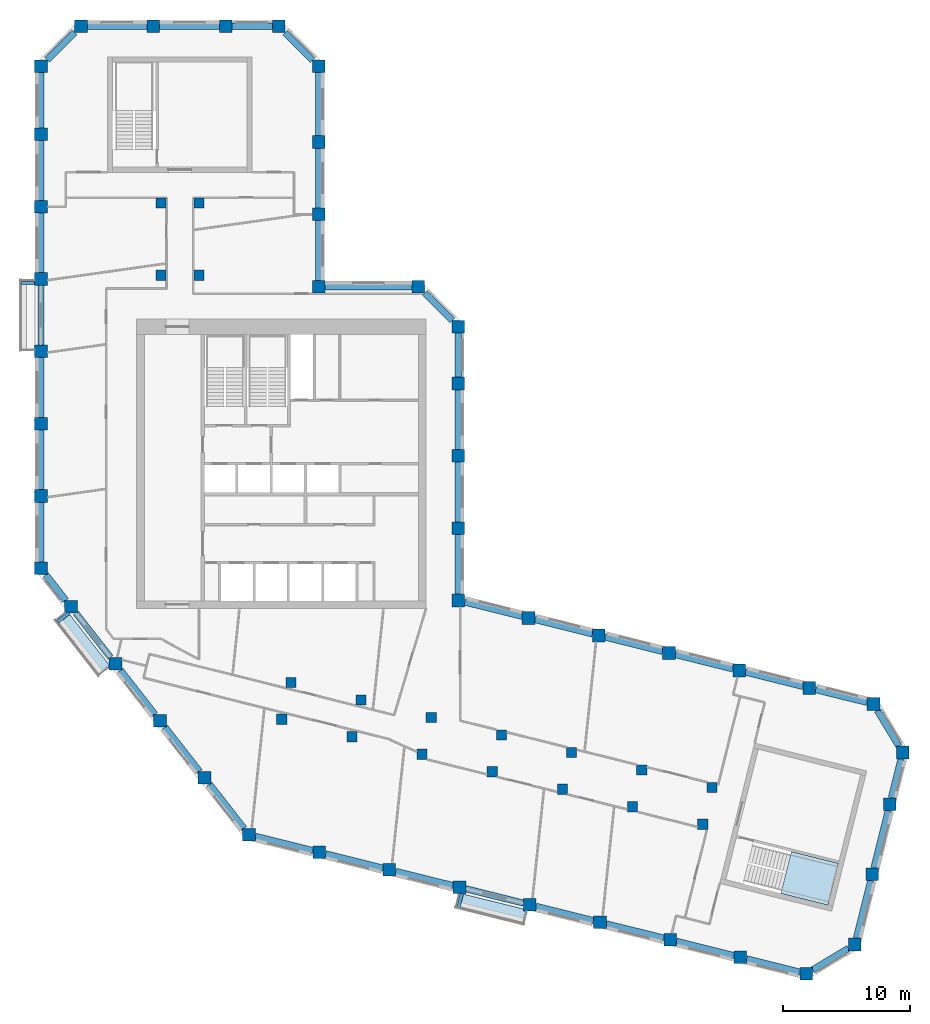
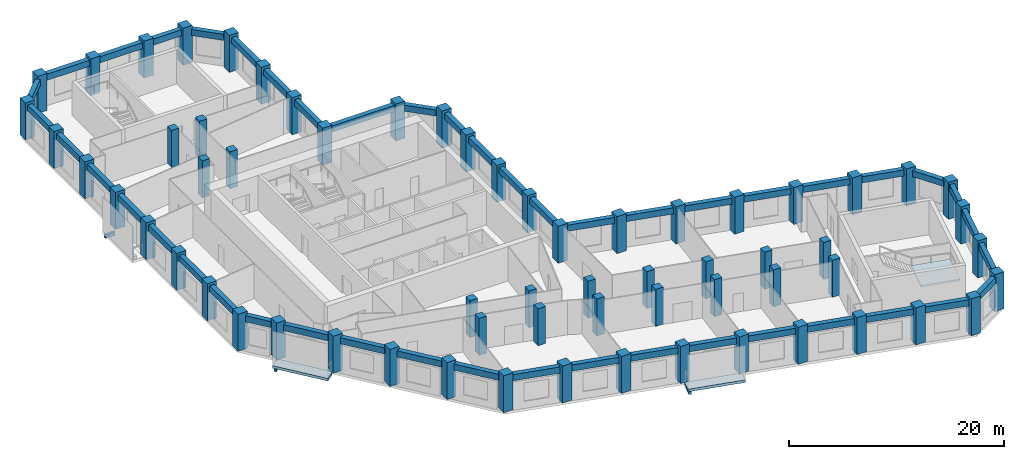
# One storey, part 1 of 9: 63 columns, 48 beams, 3 slabs, 1 element without a shape of its own.
"""IFC4 building model written with IfcOpenShell, lengths in metres."""

from ifc_helpers import new_model, si_unit, direction, frame, origin, origin_2d, place, context, subcontext, project, spatial, polyline, rectangle, outline, extrude, material, layer, layer_set, material_profile, profile_set, type_object, element, aggregate, save


model = new_model("IFC4")

# Units and contexts
model_context = context("Model", 3, precision=1e-05, world=origin(), true_north=direction((0.0, 1.0)))
body_context = subcontext(model_context, "Body", "Model", "MODEL_VIEW")
ifc_project = project(units=[si_unit("LENGTHUNIT", "METRE"), si_unit("AREAUNIT", "SQUARE_METRE"), si_unit("VOLUMEUNIT", "CUBIC_METRE"), si_unit("PLANEANGLEUNIT", "RADIAN"), si_unit("MASSUNIT", "GRAM", prefix="KILO")], contexts=[model_context])

# Site, building, storey
site_placement = place(None, origin())
site = spatial("IfcSite", under=ifc_project, at=site_placement, CompositionType="ELEMENT")
building_placement = place(site_placement, origin())
building = spatial("IfcBuilding", under=site, at=building_placement, Name="Meshkara Civic Tower", CompositionType="ELEMENT")
storey_placement = place(building_placement, frame((0.0, 0.0, 319.199951171875)))
storey = spatial("IfcBuildingStorey", under=building, at=storey_placement, Name="L73", CompositionType="ELEMENT", Elevation=319.199951171875)

# Columns
ifc_material_1 = material(Name="Concrete C60", Category="concrete")
ifc_material_profile_1 = material_profile(ifc_material_1, rectangle(XDim=0.800048828125, YDim=0.800048828125, at=origin_2d()))
ifc_profile_set_1 = profile_set([ifc_material_profile_1], Name="Concrete C60")
column_type_1 = type_object("IfcColumnType", Name="Interior column RC 800x800 C60", PredefinedType="COLUMN", material=ifc_profile_set_1)
for number, where, z_axis, x_axis, name in (
    (1, (9.89990234375, 40.35009765625, 0.0), (0.0, 0.0, 1.0), (1.0, 0.0, 0.0), "Column SA1-04 L73"),
    (2, (9.89990234375, 46.050048828125, 0.0), (0.0, 0.0, 1.0), (1.0, 0.0, 0.0), "Column SA1-05 L73"),
    (3, (12.89990234375, 40.35009765625, 0.0), (0.0, 0.0, 1.0), (1.0, 0.0, 0.0), "Column SA2-04 L73"),
    (4, (12.89990234375, 46.050048828125, 0.0), (0.0, 0.0, 1.0), (1.0, 0.0, 0.0), "Column SA2-05 L73"),
    (5, (19.424072265625, 5.360107421875, 0.0), (0.0, 0.0, 1.0), (1.0, 0.0, 0.0), "Column SB1-00 L73"),
    (6, (24.9541015625, 3.98095703125, 0.0), (0.0, 0.0, 1.0), (1.0, 0.0, 0.0), "Column SB1-01 L73"),
    (7, (30.485107421875, 2.60205078125, 0.0), (0.0, 0.0, 1.0), (1.0, 0.0, 0.0), "Column SB1-02 L73"),
    (8, (36.01611328125, 1.222900390625, 0.0), (0.0, 0.0, 1.0), (1.0, 0.0, 0.0), "Column SB1-03 L73"),
    (9, (41.5458984375, -0.156005859375, 0.0), (0.0, 0.0, 1.0), (1.0, 0.0, 0.0), "Column SB1-04 L73"),
    (10, (47.076904296875, -1.534912109375, 0.0), (0.0, 0.0, 1.0), (1.0, 0.0, 0.0), "Column SB1-05 L73"),
    (11, (52.60791015625, -2.9140625, 0.0), (0.0, 0.0, 1.0), (1.0, 0.0, 0.0), "Column SB1-06 L73"),
    (12, (20.14892578125, 8.27099609375, 0.0), (0.0, 0.0, 1.0), (1.0, 0.0, 0.0), "Column SB2-00 L73"),
    (13, (25.679931640625, 6.89208984375, 0.0), (0.0, 0.0, 1.0), (1.0, 0.0, 0.0), "Column SB2-01 L73"),
    (14, (31.2109375, 5.512939453125, 0.0), (0.0, 0.0, 1.0), (1.0, 0.0, 0.0), "Column SB2-02 L73"),
    (15, (36.741943359375, 4.134033203125, 0.0), (0.0, 0.0, 1.0), (1.0, 0.0, 0.0), "Column SB2-03 L73"),
    (16, (42.27197265625, 2.7548828125, 0.0), (0.0, 0.0, 1.0), (1.0, 0.0, 0.0), "Column SB2-04 L73"),
    (17, (47.802978515625, 1.3759765625, 0.0), (0.0, 0.0, 1.0), (1.0, 0.0, 0.0), "Column SB2-05 L73"),
    (18, (53.333984375, -0.0029296875, 0.0), (0.0, 0.0, 1.0), (1.0, 0.0, 0.0), "Column SB2-06 L73"),
):
    element("IfcColumn", number, at=place(storey_placement, frame(where, z_axis=z_axis, x_axis=x_axis)), inside=storey, type_object=column_type_1, Name=name, PredefinedType="COLUMN", context=body_context, shape_type="SweptSolid", body=[
        extrude(rectangle(XDim=0.800048828125, YDim=0.800048828125, at=origin_2d()), origin(), (0.0, 0.0, 1.0), 4.199951171875),
    ])
ifc_material_2 = material(Name="Concrete C60", Category="concrete")
ifc_material_profile_2 = material_profile(ifc_material_2, rectangle(XDim=1.0, YDim=1.0, at=origin_2d()))
ifc_profile_set_2 = profile_set([ifc_material_profile_2], Name="Concrete C60")
column_type_2 = type_object("IfcColumnType", Name="Perimeter column RC 1000x1000 C60", PredefinedType="COLUMN", material=ifc_profile_set_2)
for number, where, z_axis, x_axis, name in (
    (19, (33.35009765625, 14.718994140625, 0.0), (0.0, 0.0, 1.0), (1.0, 0.0, 0.0), "Column HE00 L73"),
    (20, (33.35009765625, 20.4189453125, 0.0), (0.0, 0.0, 1.0), (1.0, 0.0, 0.0), "Column HE01 L73"),
    (21, (33.35009765625, 26.118896484375, 0.0), (0.0, 0.0, 1.0), (1.0, 0.0, 0.0), "Column HE02 L73"),
    (22, (33.35009765625, 31.819091796875, 0.0), (0.0, 0.0, 1.0), (1.0, 0.0, 0.0), "Column HE03 L73"),
    (23, (33.35009765625, 36.2939453125, 0.0), (0.0, 0.0, 1.0), (1.0, 0.0, 0.0), "Column HEE L73"),
    (24, (30.194091796875, 39.449951171875, 0.0), (0.0, 0.0, 1.0), (1.0, 0.0, 0.0), "Column HCeE L73"),
    (25, (22.35009765625, 39.449951171875, 0.0), (0.0, 0.0, 1.0), (1.0, 0.0, 0.0), "Column HN00 L73"),
    (26, (22.35009765625, 45.14990234375, 0.0), (0.0, 0.0, 1.0), (1.0, 0.0, 0.0), "Column AE01 L73"),
    (27, (22.35009765625, 50.85009765625, 0.0), (0.0, 0.0, 1.0), (1.0, 0.0, 0.0), "Column AE02 L73"),
    (28, (22.35009765625, 56.81396484375, 0.0), (0.0, 0.0, 1.0), (1.0, 0.0, 0.0), "Column AEEP4 L73"),
    (29, (19.194091796875, 59.969970703125, 0.0), (0.0, 0.0, 1.0), (1.0, 0.0, 0.0), "Column ATiEP4 L73"),
    (30, (3.60595703125, 59.969970703125, 0.0), (0.0, 0.0, 1.0), (1.0, 0.0, 0.0), "Column AT00-P4 L73"),
    (31, (9.305908203125, 59.969970703125, 0.0), (0.0, 0.0, 1.0), (1.0, 0.0, 0.0), "Column AT01-P4 L73"),
    (32, (15.006103515625, 59.969970703125, 0.0), (0.0, 0.0, 1.0), (1.0, 0.0, 0.0), "Column AT02-P4 L73"),
    (33, (0.449951171875, 56.81396484375, 0.0), (0.0, 0.0, 1.0), (1.0, 0.0, 0.0), "Column ATo00-P4 L73"),
    (34, (0.449951171875, 17.2548828125, 0.0), (0.0, 0.0, 1.0), (1.0, 0.0, 0.0), "Column AW00 L73"),
    (35, (0.449951171875, 22.955078125, 0.0), (0.0, 0.0, 1.0), (1.0, 0.0, 0.0), "Column AW01 L73"),
    (36, (0.449951171875, 28.655029296875, 0.0), (0.0, 0.0, 1.0), (1.0, 0.0, 0.0), "Column AW02 L73"),
    (37, (0.449951171875, 34.35498046875, 0.0), (0.0, 0.0, 1.0), (1.0, 0.0, 0.0), "Column AW03 L73"),
    (38, (0.449951171875, 40.054931640625, 0.0), (0.0, 0.0, 1.0), (1.0, 0.0, 0.0), "Column AW04 L73"),
    (39, (0.449951171875, 45.7548828125, 0.0), (0.0, 0.0, 1.0), (1.0, 0.0, 0.0), "Column AW05 L73"),
    (40, (0.449951171875, 51.455078125, 0.0), (0.0, 0.0, 1.0), (1.0, 0.0, 0.0), "Column AW06 L73"),
    (41, (16.85107421875, -3.738037109375, 0.0), (0.0, 0.0, 1.0), (1.0, 0.0, 0.0), "Column BOW00 L73"),
    (42, (13.342041015625, 0.75390625, 0.0), (0.0, 0.0, 1.0), (1.0, 0.0, 0.0), "Column BOW01 L73"),
    (43, (9.8330078125, 5.2451171875, 0.0), (0.0, 0.0, 1.0), (1.0, 0.0, 0.0), "Column BOW02 L73"),
    (44, (6.322998046875, 9.737060546875, 0.0), (0.0, 0.0, 1.0), (1.0, 0.0, 0.0), "Column BOW03 L73"),
    (45, (2.81396484375, 14.22900390625, 0.0), (0.0, 0.0, 1.0), (1.0, 0.0, 0.0), "Column BOW04 L73"),
    (46, (22.382080078125, -5.116943359375, 0.0), (0.0, 0.0, 1.0), (1.0, 0.0, 0.0), "Column BS01 L73"),
    (47, (27.912109375, -6.49609375, 0.0), (0.0, 0.0, 1.0), (1.0, 0.0, 0.0), "Column BS02 L73"),
    (48, (33.443115234375, -7.875, 0.0), (0.0, 0.0, 1.0), (1.0, 0.0, 0.0), "Column BS03 L73"),
    (49, (38.97412109375, -9.25390625, 0.0), (0.0, 0.0, 1.0), (1.0, 0.0, 0.0), "Column BS04 L73"),
    (50, (44.50390625, -10.633056640625, 0.0), (0.0, 0.0, 1.0), (1.0, 0.0, 0.0), "Column BS05-P4 L73"),
    (51, (50.034912109375, -12.011962890625, 0.0), (0.0, 0.0, 1.0), (1.0, 0.0, 0.0), "Column BS06-P4 L73"),
    (52, (55.56591796875, -13.389892578125, 0.0), (0.0, 0.0, 1.0), (1.0, 0.0, 0.0), "Column BS07 L73"),
    (53, (60.76611328125, -14.68701171875, 0.0), (0.0, 0.0, 1.0), (1.0, 0.0, 0.0), "Column BSEP4 L73"),
    (54, (64.591064453125, -12.386962890625, 0.0), (0.0, 0.0, 1.0), (1.0, 0.0, 0.0), "Column BToEP4 L73"),
    (55, (65.969970703125, -6.85595703125, 0.0), (0.0, 0.0, 1.0), (1.0, 0.0, 0.0), "Column BT01-P4 L73"),
    (56, (67.34912109375, -1.325927734375, 0.0), (0.0, 0.0, 1.0), (1.0, 0.0, 0.0), "Column BT02-P4 L73"),
    (57, (68.362060546875, 2.736083984375, 0.0), (0.0, 0.0, 1.0), (1.0, 0.0, 0.0), "Column BTEP4 L73"),
    (58, (66.06298828125, 6.56201171875, 0.0), (0.0, 0.0, 1.0), (1.0, 0.0, 0.0), "Column BTi00-P4 L73"),
    (59, (38.881103515625, 13.340087890625, 0.0), (0.0, 0.0, 1.0), (1.0, 0.0, 0.0), "Column BN01 L73"),
    (60, (44.410888671875, 11.9609375, 0.0), (0.0, 0.0, 1.0), (1.0, 0.0, 0.0), "Column BN02 L73"),
    (61, (49.94189453125, 10.58203125, 0.0), (0.0, 0.0, 1.0), (1.0, 0.0, 0.0), "Column BN03 L73"),
    (62, (55.472900390625, 9.202880859375, 0.0), (0.0, 0.0, 1.0), (1.0, 0.0, 0.0), "Column BN04 L73"),
    (63, (61.0029296875, 7.823974609375, 0.0), (0.0, 0.0, 1.0), (1.0, 0.0, 0.0), "Column BN05 L73"),
):
    element("IfcColumn", number, at=place(storey_placement, frame(where, z_axis=z_axis, x_axis=x_axis)), inside=storey, type_object=column_type_2, Name=name, PredefinedType="COLUMN", context=body_context, shape_type="SweptSolid", body=[
        extrude(rectangle(XDim=1.0, YDim=1.0, at=origin_2d()), origin(), (0.0, 0.0, 1.0), 4.199951171875),
    ])

# Beams
ifc_material_3 = material(Name="Concrete C50", Category="concrete")
ifc_material_profile_3 = material_profile(ifc_material_3, rectangle(XDim=0.25, YDim=0.39990234375, at=origin_2d()))
ifc_profile_set_3 = profile_set([ifc_material_profile_3], Name="Concrete C50")
beam_type_1 = type_object("IfcBeamType", Name="Balcony bracket beam RC 250x400 C50", PredefinedType="BEAM", material=ifc_profile_set_3)
beam_1_placement = place(storey_placement, frame((-0.044921875, 39.7548828125, -0.5), z_axis=(-1.0, 0.0, 0.0), x_axis=(0.0, -1.0, 0.0)))
element("IfcBeam", 64, at=beam_1_placement, inside=storey, type_object=beam_type_1, Name="Balcony bracket beam", PredefinedType="BEAM", context=body_context, shape_type="SweptSolid", body=[
    extrude(rectangle(XDim=0.25, YDim=0.39990234375, at=origin_2d()), origin(), (0.0, 0.0, 1.0), 1.05517578125),
])
beam_2_placement = place(storey_placement, frame((2.6650390625, 13.73193359375, -0.5), z_axis=(-0.787961962446, -0.615723920064, 0.0), x_axis=(0.615723920064, -0.787961962446, 0.0)))
element("IfcBeam", 65, at=beam_2_placement, inside=storey, type_object=beam_type_1, Name="Balcony bracket beam", PredefinedType="BEAM", context=body_context, shape_type="SweptSolid", body=[
    extrude(rectangle(XDim=0.25, YDim=0.39990234375, at=origin_2d()), origin(), (0.0, 0.0, 1.0), 1.126953125),
])
beam_3_placement = place(storey_placement, frame((33.62890625, -8.3701171875, -0.5), z_axis=(-0.24238092718, -0.970181161505, 0.0), x_axis=(0.970181161505, -0.24238092718, 0.0)))
element("IfcBeam", 66, at=beam_3_placement, inside=storey, type_object=beam_type_1, Name="Balcony bracket beam", PredefinedType="BEAM", context=body_context, shape_type="SweptSolid", body=[
    extrude(rectangle(XDim=0.25, YDim=0.39990234375, at=origin_2d()), origin(), (0.0, 0.0, 1.0), 1.114013671875),
])
ifc_material_4 = material(Name="Concrete C50", Category="concrete")
ifc_material_profile_4 = material_profile(ifc_material_4, rectangle(XDim=0.5, YDim=0.699951171875, at=origin_2d()))
ifc_profile_set_4 = profile_set([ifc_material_profile_4], Name="Concrete C50")
beam_type_2 = type_object("IfcBeamType", Name="Spandrel beam RC 500x700 C50", PredefinedType="BEAM", material=ifc_profile_set_4)
beam_4_placement = place(storey_placement, frame((60.5078125, 7.947509765625, 3.550048828125), z_axis=(-0.970286590806, 0.241958533023, 0.0), x_axis=(-0.241958533023, -0.970286590806, 0.0)))
element("IfcBeam", 67, at=beam_4_placement, inside=storey, type_object=beam_type_2, Name="Spandrel beam BN04-BN05", PredefinedType="BEAM", context=body_context, shape_type="SweptSolid", body=[
    extrude(rectangle(XDim=0.5, YDim=0.699951171875, at=origin_2d()), origin(), (0.0, 0.0, 1.0), 4.6787109375),
])
beam_5_placement = place(storey_placement, frame((54.977783203125, 9.326416015625, 3.550048828125), z_axis=(-0.970298806378, 0.241909541651, 0.0), x_axis=(-0.241909541651, -0.970298806378, 0.0)))
element("IfcBeam", 68, at=beam_5_placement, inside=storey, type_object=beam_type_2, Name="Spandrel beam BN03-BN04", PredefinedType="BEAM", context=body_context, shape_type="SweptSolid", body=[
    extrude(rectangle(XDim=0.5, YDim=0.699951171875, at=origin_2d()), origin(), (0.0, 0.0, 1.0), 4.6796875),
])
beam_6_placement = place(storey_placement, frame((49.447021484375, 10.70556640625, 3.550048828125), z_axis=(-0.970314102262, 0.241848181618, 0.0), x_axis=(-0.241848181618, -0.970314102262, 0.0)))
element("IfcBeam", 69, at=beam_6_placement, inside=storey, type_object=beam_type_2, Name="Spandrel beam BN02-BN03", PredefinedType="BEAM", context=body_context, shape_type="SweptSolid", body=[
    extrude(rectangle(XDim=0.5, YDim=0.699951171875, at=origin_2d()), origin(), (0.0, 0.0, 1.0), 4.679931640625),
])
beam_7_placement = place(storey_placement, frame((43.916015625, 12.08447265625, 3.550048828125), z_axis=(-0.970286590806, 0.241958533023, 0.0), x_axis=(-0.241958533023, -0.970286590806, 0.0)))
element("IfcBeam", 70, at=beam_7_placement, inside=storey, type_object=beam_type_2, Name="Spandrel beam BN01-BN02", PredefinedType="BEAM", context=body_context, shape_type="SweptSolid", body=[
    extrude(rectangle(XDim=0.5, YDim=0.699951171875, at=origin_2d()), origin(), (0.0, 0.0, 1.0), 4.6787109375),
])
beam_8_placement = place(storey_placement, frame((38.385986328125, 13.46337890625, 3.550048828125), z_axis=(-0.970298806378, 0.241909541651, 0.0), x_axis=(-0.241909541651, -0.970298806378, 0.0)))
element("IfcBeam", 71, at=beam_8_placement, inside=storey, type_object=beam_type_2, Name="Spandrel beam BN01-HE00", PredefinedType="BEAM", context=body_context, shape_type="SweptSolid", body=[
    extrude(rectangle(XDim=0.5, YDim=0.699951171875, at=origin_2d()), origin(), (0.0, 0.0, 1.0), 4.6796875),
])
for number, where, z_axis, x_axis, name in (
    (72, (33.35009765625, 15.214111328125, 3.550048828125), (0.0, 1.0, 0.0), (-1.0, 0.0, 0.0), "Spandrel beam HE00-HE01"),
    (73, (33.35009765625, 20.9140625, 3.550048828125), (0.0, 1.0, 0.0), (-1.0, 0.0, 0.0), "Spandrel beam HE01-HE02"),
    (74, (33.35009765625, 26.614013671875, 3.550048828125), (0.0, 1.0, 0.0), (-1.0, 0.0, 0.0), "Spandrel beam HE02-HE03"),
):
    element("IfcBeam", number, at=place(storey_placement, frame(where, z_axis=z_axis, x_axis=x_axis)), inside=storey, type_object=beam_type_2, Name=name, PredefinedType="BEAM", context=body_context, shape_type="SweptSolid", body=[
        extrude(rectangle(XDim=0.5, YDim=0.699951171875, at=origin_2d()), origin(), (0.0, 0.0, 1.0), 4.7099609375),
    ])
beam_9_placement = place(storey_placement, frame((33.35009765625, 32.31396484375, 3.550048828125), z_axis=(0.0, 1.0, 0.0), x_axis=(-1.0, 0.0, 0.0)))
element("IfcBeam", 75, at=beam_9_placement, inside=storey, type_object=beam_type_2, Name="Spandrel beam HE03-HEE", PredefinedType="BEAM", context=body_context, shape_type="SweptSolid", body=[
    extrude(rectangle(XDim=0.5, YDim=0.699951171875, at=origin_2d()), origin(), (0.0, 0.0, 1.0), 3.485107421875),
])
beam_10_placement = place(storey_placement, frame((32.853515625, 36.79052734375, 3.550048828125), z_axis=(-0.707106781187, 0.707106781187, 0.0), x_axis=(-0.707106781187, -0.707106781187, 0.0)))
element("IfcBeam", 76, at=beam_10_placement, inside=storey, type_object=beam_type_2, Name="Spandrel beam HCeE-HEE", PredefinedType="BEAM", context=body_context, shape_type="SweptSolid", body=[
    extrude(rectangle(XDim=0.5, YDim=0.699951171875, at=origin_2d()), origin(), (0.0, 0.0, 1.0), 3.05908203125),
])
beam_11_placement = place(storey_placement, frame((29.698974609375, 39.449951171875, 3.550048828125), z_axis=(-1.0, 0.0, 0.0), x_axis=(0.0, -1.0, 0.0)))
element("IfcBeam", 77, at=beam_11_placement, inside=storey, type_object=beam_type_2, Name="Spandrel beam HCeE-HN00", PredefinedType="BEAM", context=body_context, shape_type="SweptSolid", body=[
    extrude(rectangle(XDim=0.5, YDim=0.699951171875, at=origin_2d()), origin(), (0.0, 0.0, 1.0), 6.85400390625),
])
for number, where, z_axis, x_axis, name in (
    (78, (22.35009765625, 39.945068359375, 3.550048828125), (0.0, 1.0, 0.0), (-1.0, 0.0, 0.0), "Spandrel beam AE01-HN00"),
    (79, (22.35009765625, 45.64501953125, 3.550048828125), (0.0, 1.0, 0.0), (-1.0, 0.0, 0.0), "Spandrel beam AE01-AE02"),
):
    element("IfcBeam", number, at=place(storey_placement, frame(where, z_axis=z_axis, x_axis=x_axis)), inside=storey, type_object=beam_type_2, Name=name, PredefinedType="BEAM", context=body_context, shape_type="SweptSolid", body=[
        extrude(rectangle(XDim=0.5, YDim=0.699951171875, at=origin_2d()), origin(), (0.0, 0.0, 1.0), 4.7099609375),
    ])
beam_12_placement = place(storey_placement, frame((22.35009765625, 51.344970703125, 3.550048828125), z_axis=(0.0, 1.0, 0.0), x_axis=(-1.0, 0.0, 0.0)))
element("IfcBeam", 80, at=beam_12_placement, inside=storey, type_object=beam_type_2, Name="Spandrel beam AE02-AEEP4", PredefinedType="BEAM", context=body_context, shape_type="SweptSolid", body=[
    extrude(rectangle(XDim=0.5, YDim=0.699951171875, at=origin_2d()), origin(), (0.0, 0.0, 1.0), 4.97412109375),
])
beam_13_placement = place(storey_placement, frame((21.853515625, 57.310546875, 3.550048828125), z_axis=(-0.707146686758, 0.707066873363, 0.0), x_axis=(-0.707066873363, -0.707146686758, 0.0)))
element("IfcBeam", 81, at=beam_13_placement, inside=storey, type_object=beam_type_2, Name="Spandrel beam AEEP4-ATiEP4", PredefinedType="BEAM", context=body_context, shape_type="SweptSolid", body=[
    extrude(rectangle(XDim=0.5, YDim=0.699951171875, at=origin_2d()), origin(), (0.0, 0.0, 1.0), 3.058837890625),
])
beam_14_placement = place(storey_placement, frame((18.698974609375, 59.969970703125, 3.550048828125), z_axis=(-1.0, 0.0, 0.0), x_axis=(0.0, -1.0, 0.0)))
element("IfcBeam", 82, at=beam_14_placement, inside=storey, type_object=beam_type_2, Name="Spandrel beam AT02-P4-ATiEP4", PredefinedType="BEAM", context=body_context, shape_type="SweptSolid", body=[
    extrude(rectangle(XDim=0.5, YDim=0.699951171875, at=origin_2d()), origin(), (0.0, 0.0, 1.0), 3.197998046875),
])
for number, where, z_axis, x_axis, name in (
    (83, (14.510986328125, 59.969970703125, 3.550048828125), (-1.0, 0.0, 0.0), (0.0, -1.0, 0.0), "Spandrel beam AT01-P4-AT02-P4"),
    (84, (8.81103515625, 59.969970703125, 3.550048828125), (-1.0, 0.0, 0.0), (0.0, -1.0, 0.0), "Spandrel beam AT00-P4-AT01-P4"),
):
    element("IfcBeam", number, at=place(storey_placement, frame(where, z_axis=z_axis, x_axis=x_axis)), inside=storey, type_object=beam_type_2, Name=name, PredefinedType="BEAM", context=body_context, shape_type="SweptSolid", body=[
        extrude(rectangle(XDim=0.5, YDim=0.699951171875, at=origin_2d()), origin(), (0.0, 0.0, 1.0), 4.7099609375),
    ])
beam_15_placement = place(storey_placement, frame((3.109619140625, 59.473388671875, 3.550048828125), z_axis=(-0.707146686758, -0.707066873363, 0.0), x_axis=(0.707066873363, -0.707146686758, 0.0)))
element("IfcBeam", 85, at=beam_15_placement, inside=storey, type_object=beam_type_2, Name="Spandrel beam AT00-P4-ATo00-P4", PredefinedType="BEAM", context=body_context, shape_type="SweptSolid", body=[
    extrude(rectangle(XDim=0.5, YDim=0.699951171875, at=origin_2d()), origin(), (0.0, 0.0, 1.0), 3.058837890625),
])
beam_16_placement = place(storey_placement, frame((0.449951171875, 56.319091796875, 3.550048828125), z_axis=(0.0, -1.0, 0.0), x_axis=(1.0, 0.0, 0.0)))
element("IfcBeam", 86, at=beam_16_placement, inside=storey, type_object=beam_type_2, Name="Spandrel beam ATo00-P4-AW06", PredefinedType="BEAM", context=body_context, shape_type="SweptSolid", body=[
    extrude(rectangle(XDim=0.5, YDim=0.699951171875, at=origin_2d()), origin(), (0.0, 0.0, 1.0), 4.369140625),
])
for number, where, z_axis, x_axis, name in (
    (87, (0.449951171875, 50.9599609375, 3.550048828125), (0.0, -1.0, 0.0), (1.0, 0.0, 0.0), "Spandrel beam AW05-AW06"),
    (88, (0.449951171875, 45.260009765625, 3.550048828125), (0.0, -1.0, 0.0), (1.0, 0.0, 0.0), "Spandrel beam AW04-AW05"),
    (89, (0.449951171875, 39.56005859375, 3.550048828125), (0.0, -1.0, 0.0), (1.0, 0.0, 0.0), "Spandrel beam AW03-AW04"),
):
    element("IfcBeam", number, at=place(storey_placement, frame(where, z_axis=z_axis, x_axis=x_axis)), inside=storey, type_object=beam_type_2, Name=name, PredefinedType="BEAM", context=body_context, shape_type="SweptSolid", body=[
        extrude(rectangle(XDim=0.5, YDim=0.699951171875, at=origin_2d()), origin(), (0.0, 0.0, 1.0), 4.7099609375),
    ])
beam_17_placement = place(storey_placement, frame((0.449951171875, 33.860107421875, 3.550048828125), z_axis=(0.0, -1.0, 0.0), x_axis=(1.0, 0.0, 0.0)))
element("IfcBeam", 90, at=beam_17_placement, inside=storey, type_object=beam_type_2, Name="Spandrel beam AW02-AW03", PredefinedType="BEAM", context=body_context, shape_type="SweptSolid", body=[
    extrude(rectangle(XDim=0.5, YDim=0.699951171875, at=origin_2d()), origin(), (0.0, 0.0, 1.0), 4.710205078125),
])
for number, where, z_axis, x_axis, name in (
    (91, (0.449951171875, 28.159912109375, 3.550048828125), (0.0, -1.0, 0.0), (1.0, 0.0, 0.0), "Spandrel beam AW01-AW02"),
    (92, (0.449951171875, 22.4599609375, 3.550048828125), (0.0, -1.0, 0.0), (1.0, 0.0, 0.0), "Spandrel beam AW00-AW01"),
):
    element("IfcBeam", number, at=place(storey_placement, frame(where, z_axis=z_axis, x_axis=x_axis)), inside=storey, type_object=beam_type_2, Name=name, PredefinedType="BEAM", context=body_context, shape_type="SweptSolid", body=[
        extrude(rectangle(XDim=0.5, YDim=0.699951171875, at=origin_2d()), origin(), (0.0, 0.0, 1.0), 4.7099609375),
    ])
beam_18_placement = place(storey_placement, frame((0.83740234375, 16.7587890625, 3.550048828125), z_axis=(0.615713794912, -0.787969874269, 0.0), x_axis=(0.787969874269, 0.615713794912, 0.0)))
element("IfcBeam", 93, at=beam_18_placement, inside=storey, type_object=beam_type_2, Name="Spandrel beam AW00-BOW04", PredefinedType="BEAM", context=body_context, shape_type="SweptSolid", body=[
    extrude(rectangle(XDim=0.5, YDim=0.699951171875, at=origin_2d()), origin(), (0.0, 0.0, 1.0), 2.580810546875),
])
beam_19_placement = place(storey_placement, frame((3.201416015625, 13.73291015625, 3.550048828125), z_axis=(0.615636574491, -0.788030207637, 0.0), x_axis=(0.788030207637, 0.615636574491, 0.0)))
element("IfcBeam", 94, at=beam_19_placement, inside=storey, type_object=beam_type_2, Name="Spandrel beam BOW03-BOW04", PredefinedType="BEAM", context=body_context, shape_type="SweptSolid", body=[
    extrude(rectangle(XDim=0.5, YDim=0.699951171875, at=origin_2d()), origin(), (0.0, 0.0, 1.0), 4.441162109375),
])
beam_20_placement = place(storey_placement, frame((6.710693359375, 9.240966796875, 3.550048828125), z_axis=(0.615704842432, -0.787976869588, 0.0), x_axis=(0.787976869588, 0.615704842432, 0.0)))
element("IfcBeam", 95, at=beam_20_placement, inside=storey, type_object=beam_type_2, Name="Spandrel beam BOW02-BOW03", PredefinedType="BEAM", context=body_context, shape_type="SweptSolid", body=[
    extrude(rectangle(XDim=0.5, YDim=0.699951171875, at=origin_2d()), origin(), (0.0, 0.0, 1.0), 4.44140625),
])
beam_21_placement = place(storey_placement, frame((10.220703125, 4.748779296875, 3.550048828125), z_axis=(0.615674985547, -0.788000198078, 0.0), x_axis=(0.788000198078, 0.615674985547, 0.0)))
element("IfcBeam", 96, at=beam_21_placement, inside=storey, type_object=beam_type_2, Name="Spandrel beam BOW01-BOW02", PredefinedType="BEAM", context=body_context, shape_type="SweptSolid", body=[
    extrude(rectangle(XDim=0.5, YDim=0.699951171875, at=origin_2d()), origin(), (0.0, 0.0, 1.0), 4.440185546875),
])
beam_22_placement = place(storey_placement, frame((13.7294921875, 0.2578125, 3.550048828125), z_axis=(0.615602435322, -0.788056877151, 0.0), x_axis=(0.788056877151, 0.615602435322, 0.0)))
element("IfcBeam", 97, at=beam_22_placement, inside=storey, type_object=beam_type_2, Name="Spandrel beam BOW00-BOW01", PredefinedType="BEAM", context=body_context, shape_type="SweptSolid", body=[
    extrude(rectangle(XDim=0.5, YDim=0.699951171875, at=origin_2d()), origin(), (0.0, 0.0, 1.0), 4.44091796875),
])
beam_23_placement = place(storey_placement, frame((17.34619140625, -3.861572265625, 3.550048828125), z_axis=(0.970311050729, -0.24186042428, 0.0), x_axis=(0.24186042428, 0.970311050729, 0.0)))
element("IfcBeam", 98, at=beam_23_placement, inside=storey, type_object=beam_type_2, Name="Spandrel beam BOW00-BS01", PredefinedType="BEAM", context=body_context, shape_type="SweptSolid", body=[
    extrude(rectangle(XDim=0.5, YDim=0.699951171875, at=origin_2d()), origin(), (0.0, 0.0, 1.0), 4.6796875),
])
beam_24_placement = place(storey_placement, frame((22.877197265625, -5.240478515625, 3.550048828125), z_axis=(0.970286590806, -0.241958533023, 0.0), x_axis=(0.241958533023, 0.970286590806, 0.0)))
element("IfcBeam", 99, at=beam_24_placement, inside=storey, type_object=beam_type_2, Name="Spandrel beam BS01-BS02", PredefinedType="BEAM", context=body_context, shape_type="SweptSolid", body=[
    extrude(rectangle(XDim=0.5, YDim=0.699951171875, at=origin_2d()), origin(), (0.0, 0.0, 1.0), 4.6787109375),
])
for number, where, z_axis, x_axis, name in (
    (100, (28.406982421875, -6.619384765625, 3.550048828125), (0.970301859111, -0.241897296812, 0.0), (0.241897296812, 0.970301859111, 0.0), "Spandrel beam BS02-BS03"),
    (101, (33.93798828125, -7.99853515625, 3.550048828125), (0.970301859111, -0.241897296812, 0.0), (0.241897296812, 0.970301859111, 0.0), "Spandrel beam BS03-BS04"),
):
    element("IfcBeam", number, at=place(storey_placement, frame(where, z_axis=z_axis, x_axis=x_axis)), inside=storey, type_object=beam_type_2, Name=name, PredefinedType="BEAM", context=body_context, shape_type="SweptSolid", body=[
        extrude(rectangle(XDim=0.5, YDim=0.699951171875, at=origin_2d()), origin(), (0.0, 0.0, 1.0), 4.679931640625),
    ])
beam_25_placement = place(storey_placement, frame((39.468994140625, -9.37744140625, 3.550048828125), z_axis=(0.970286590806, -0.241958533023, 0.0), x_axis=(0.241958533023, 0.970286590806, 0.0)))
element("IfcBeam", 102, at=beam_25_placement, inside=storey, type_object=beam_type_2, Name="Spandrel beam BS04-BS05-P4", PredefinedType="BEAM", context=body_context, shape_type="SweptSolid", body=[
    extrude(rectangle(XDim=0.5, YDim=0.699951171875, at=origin_2d()), origin(), (0.0, 0.0, 1.0), 4.6787109375),
])
beam_26_placement = place(storey_placement, frame((44.9990234375, -10.756591796875, 3.550048828125), z_axis=(0.970311050729, -0.24186042428, 0.0), x_axis=(0.24186042428, 0.970311050729, 0.0)))
element("IfcBeam", 103, at=beam_26_placement, inside=storey, type_object=beam_type_2, Name="Spandrel beam BS05-P4-BS06-P4", PredefinedType="BEAM", context=body_context, shape_type="SweptSolid", body=[
    extrude(rectangle(XDim=0.5, YDim=0.699951171875, at=origin_2d()), origin(), (0.0, 0.0, 1.0), 4.6796875),
])
beam_27_placement = place(storey_placement, frame((50.530029296875, -12.135498046875, 3.550048828125), z_axis=(0.970347770718, -0.241713061011, 0.0), x_axis=(0.241713061011, 0.970347770718, 0.0)))
element("IfcBeam", 104, at=beam_27_placement, inside=storey, type_object=beam_type_2, Name="Spandrel beam BS06-P4-BS07", PredefinedType="BEAM", context=body_context, shape_type="SweptSolid", body=[
    extrude(rectangle(XDim=0.5, YDim=0.699951171875, at=origin_2d()), origin(), (0.0, 0.0, 1.0), 4.679443359375),
])
beam_28_placement = place(storey_placement, frame((56.06103515625, -13.513427734375, 3.550048828125), z_axis=(0.970274749447, -0.242006013533, 0.0), x_axis=(0.242006013533, 0.970274749447, 0.0)))
element("IfcBeam", 105, at=beam_28_placement, inside=storey, type_object=beam_type_2, Name="Spandrel beam BS07-BSEP4", PredefinedType="BEAM", context=body_context, shape_type="SweptSolid", body=[
    extrude(rectangle(XDim=0.5, YDim=0.699951171875, at=origin_2d()), origin(), (0.0, 0.0, 1.0), 4.3388671875),
])
beam_29_placement = place(storey_placement, frame((61.26171875, -14.388916015625, 3.550048828125), z_axis=(0.856990838189, 0.515331643953, 0.0), x_axis=(-0.515331643953, 0.856990838189, 0.0)))
element("IfcBeam", 106, at=beam_29_placement, inside=storey, type_object=beam_type_2, Name="Spandrel beam BSEP4-BToEP4", PredefinedType="BEAM", context=body_context, shape_type="SweptSolid", body=[
    extrude(rectangle(XDim=0.5, YDim=0.699951171875, at=origin_2d()), origin(), (0.0, 0.0, 1.0), 3.306396484375),
])
beam_30_placement = place(storey_placement, frame((64.714599609375, -11.891845703125, 3.550048828125), z_axis=(0.24186042428, 0.970311050729, 0.0), x_axis=(-0.970311050729, 0.24186042428, 0.0)))
element("IfcBeam", 107, at=beam_30_placement, inside=storey, type_object=beam_type_2, Name="Spandrel beam BT01-P4-BToEP4", PredefinedType="BEAM", context=body_context, shape_type="SweptSolid", body=[
    extrude(rectangle(XDim=0.5, YDim=0.699951171875, at=origin_2d()), origin(), (0.0, 0.0, 1.0), 4.6796875),
])
beam_31_placement = place(storey_placement, frame((66.093505859375, -6.36083984375, 3.550048828125), z_axis=(0.241958533023, 0.970286590806, 0.0), x_axis=(-0.970286590806, 0.241958533023, 0.0)))
element("IfcBeam", 108, at=beam_31_placement, inside=storey, type_object=beam_type_2, Name="Spandrel beam BT01-P4-BT02-P4", PredefinedType="BEAM", context=body_context, shape_type="SweptSolid", body=[
    extrude(rectangle(XDim=0.5, YDim=0.699951171875, at=origin_2d()), origin(), (0.0, 0.0, 1.0), 4.6787109375),
])
beam_32_placement = place(storey_placement, frame((67.472412109375, -0.830810546875, 3.550048828125), z_axis=(0.241991235859, 0.970278435176, 0.0), x_axis=(-0.970278435176, 0.241991235859, 0.0)))
element("IfcBeam", 109, at=beam_32_placement, inside=storey, type_object=beam_type_2, Name="Spandrel beam BT02-P4-BTEP4", PredefinedType="BEAM", context=body_context, shape_type="SweptSolid", body=[
    extrude(rectangle(XDim=0.5, YDim=0.699951171875, at=origin_2d()), origin(), (0.0, 0.0, 1.0), 3.165771484375),
])
beam_33_placement = place(storey_placement, frame((68.064208984375, 3.231689453125, 3.550048828125), z_axis=(-0.515060169575, 0.8571540245, 0.0), x_axis=(-0.8571540245, -0.515060169575, 0.0)))
element("IfcBeam", 110, at=beam_33_placement, inside=storey, type_object=beam_type_2, Name="Spandrel beam BTEP4-BTi00-P4", PredefinedType="BEAM", context=body_context, shape_type="SweptSolid", body=[
    extrude(rectangle(XDim=0.5, YDim=0.699951171875, at=origin_2d()), origin(), (0.0, 0.0, 1.0), 3.30712890625),
])
beam_34_placement = place(storey_placement, frame((65.56787109375, 6.685546875, 3.550048828125), z_axis=(-0.970286131512, 0.241960374847, 0.0), x_axis=(-0.241960374847, -0.970286131512, 0.0)))
element("IfcBeam", 111, at=beam_34_placement, inside=storey, type_object=beam_type_2, Name="Spandrel beam BN05-BTi00-P4", PredefinedType="BEAM", context=body_context, shape_type="SweptSolid", body=[
    extrude(rectangle(XDim=0.5, YDim=0.699951171875, at=origin_2d()), origin(), (0.0, 0.0, 1.0), 4.1943359375),
])

# Slabs
ifc_material_5 = material(Name="Concrete C40", Category="concrete")
ifc_layer_1 = layer(ifc_material_5, 0.300048828125)
ifc_layer_set_1 = layer_set([ifc_layer_1], Name="BALCONY SLAB")
slab_type_1 = type_object("IfcSlabType", Name="BALCONY SLAB", PredefinedType="FLOOR", material=ifc_layer_set_1)
slab_1_placement = place(storey_placement, frame((0.0, 0.0, -0.300048828125)))
element("IfcSlab", 112, at=slab_1_placement, inside=storey, type_object=slab_type_1, Name="Balcony slab", PredefinedType="FLOOR", context=body_context, shape_type="SweptSolid", body=[
    extrude(outline(polyline([(4.986083984375, 8.76904296875), (1.551025390625, 13.166015625), (2.31396484375, 13.761962890625), (2.31396484375, 13.72900390625), (2.634033203125, 13.72900390625), (5.822998046875, 9.64697265625), (5.822998046875, 9.423095703125), (4.986083984375, 8.76904296875)])), origin(), (0.0, 0.0, 1.0), 0.300048828125),
])
slab_2_placement = place(storey_placement, frame((0.0, 0.0, -0.300048828125)))
element("IfcSlab", 113, at=slab_2_placement, inside=storey, type_object=slab_type_1, Name="Balcony slab", PredefinedType="FLOOR", context=body_context, shape_type="SweptSolid", body=[
    extrude(outline(polyline([(38.51708984375, -10.840087890625), (33.10205078125, -9.489990234375), (33.3798828125, -8.375), (33.589111328125, -8.375), (38.47412109375, -9.593017578125), (38.47412109375, -9.75390625), (38.787109375, -9.75390625), (38.51708984375, -10.840087890625)])), origin(), (0.0, 0.0, 1.0), 0.300048828125),
])

# Stair, slab
ifc_material_6 = material(Name="Precast concrete C40/50", Category="concrete")
stair_type = type_object("IfcStairType", Name="Exit stair half-turn 24 risers precast", PredefinedType="HALF_TURN_STAIR", material=ifc_material_6)
stair_placement = place(storey_placement, origin())
stair = element("IfcStair", 114, at=stair_placement, inside=storey, type_object=stair_type, Name="L73 exit stair B from L65", PredefinedType="HALF_TURN_STAIR")
ifc_material_7 = material(Name="Precast concrete C40/50", Category="concrete")
ifc_layer_2 = layer(ifc_material_7, 0.199951171875)
ifc_layer_set_2 = layer_set([ifc_layer_2], Name="Exit stair landing 200")
slab_type_2 = type_object("IfcSlabType", Name="Exit stair landing 200", PredefinedType="LANDING", material=ifc_layer_set_2)
slab_3_placement = place(storey_placement, frame((0.0, 0.0, 1.900146484375)))
slab_3 = element("IfcSlab", 115, at=slab_3_placement, type_object=slab_type_2, Name="ESB5 landing 1", PredefinedType="LANDING", context=body_context, shape_type="SweptSolid", body=[
    extrude(outline(polyline([(58.769775390625, -8.366943359375), (62.477783203125, -9.2919921875), (63.301025390625, -5.991943359375), (59.593017578125, -5.06689453125), (58.769775390625, -8.366943359375)])), origin(), (0.0, 0.0, 1.0), 0.199951171875),
])
aggregate(stair, [slab_3])

save(model, "model.ifc")
